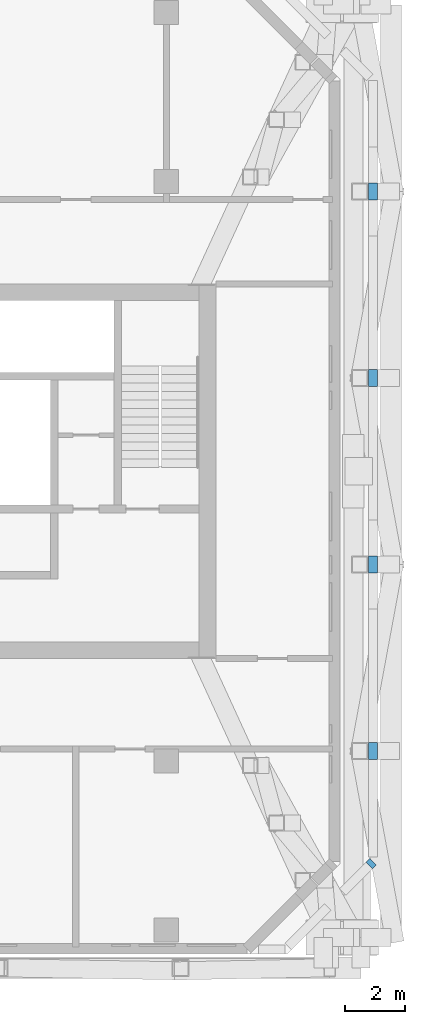
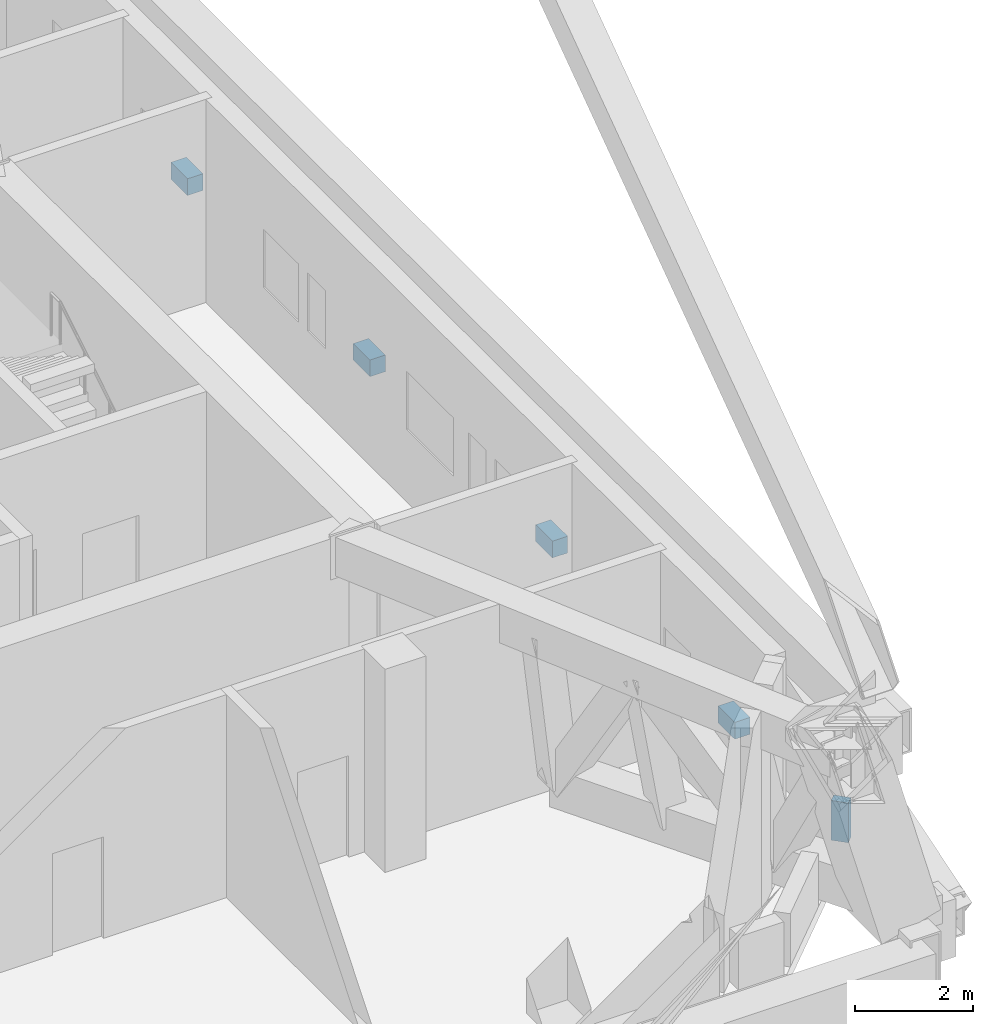
# One storey, part 18 of 22: 5 walls.
"""IFC4 building model written with IfcOpenShell, lengths in metres."""

from ifc_helpers import new_model, si_unit, direction, frame, frame_2d, origin, place, context, subcontext, project, spatial, rectangle, extrude, material, layer, layer_set, type_object, element, save


model = new_model("IFC4")

# Units and contexts
model_context = context("Model", 3, precision=1e-05, world=origin(), true_north=direction((0.0, 1.0)))
body_context = subcontext(model_context, "Body", "Model", "MODEL_VIEW")
ifc_project = project(units=[si_unit("LENGTHUNIT", "METRE"), si_unit("AREAUNIT", "SQUARE_METRE"), si_unit("VOLUMEUNIT", "CUBIC_METRE"), si_unit("PLANEANGLEUNIT", "RADIAN"), si_unit("MASSUNIT", "GRAM", prefix="KILO")], contexts=[model_context])

# Site, building, storey
site_placement = place(None, origin())
site = spatial("IfcSite", under=ifc_project, at=site_placement, CompositionType="ELEMENT")
building_placement = place(site_placement, origin())
building = spatial("IfcBuilding", under=site, at=building_placement, Name="Tuart Gate Housing", CompositionType="ELEMENT")
storey_placement = place(building_placement, frame((0.0, 0.0, 115.0)))
storey = spatial("IfcBuildingStorey", under=building, at=storey_placement, Name="L32", CompositionType="ELEMENT", Elevation=115.0)

# Walls
ifc_material = material(Name="Brick", Category="masonry")
ifc_layer = layer(ifc_material, 0.300048828125)
ifc_layer_set = layer_set([ifc_layer], Name="Brick parapet wall 300")
wall_type = type_object("IfcWallType", Name="Brick parapet wall 300", PredefinedType="PARAPET", material=ifc_layer_set)
wall_1_placement = place(storey_placement, frame((173.7294921875, 56.94189453125, 0.0), z_axis=(0.0, 0.0, 1.0), x_axis=(0.708539617255, 0.705671035809, 0.0)))
element("IfcWall", 1, at=wall_1_placement, inside=storey, type_object=wall_type, Name="Roof parapet B 2", PredefinedType="PARAPET", context=body_context, shape_type="SweptSolid", body=[
    extrude(rectangle(XDim=0.170166015625, YDim=0.300048828125, at=frame_2d((0.0849609375, 0.0))), origin(), (0.0, 0.0, 1.0), 0.822021484375),
])
wall_2_placement = place(storey_placement, frame((173.85009765625, 60.447021484375, 0.0), z_axis=(0.0, 0.0, 1.0), x_axis=(0.0, 1.0, 0.0)))
element("IfcWall", 2, at=wall_2_placement, inside=storey, type_object=wall_type, Name="Roof parapet B 3", PredefinedType="PARAPET", context=body_context, shape_type="SweptSolid", body=[
    extrude(rectangle(XDim=0.56591796875, YDim=0.300048828125, at=frame_2d((0.282958984375, 0.0))), origin(), (0.0, 0.0, 1.0), 0.34716796875),
])
for number, where, z_axis, x_axis, name in (
    (3, (173.85009765625, 66.626953125, 0.0), (0.0, 0.0, 1.0), (0.0, 1.0, 0.0), "Roof parapet B 3"),
    (4, (173.85009765625, 72.806884765625, 0.0), (0.0, 0.0, 1.0), (0.0, 1.0, 0.0), "Roof parapet B 3"),
):
    element("IfcWall", number, at=place(storey_placement, frame(where, z_axis=z_axis, x_axis=x_axis)), inside=storey, type_object=wall_type, Name=name, PredefinedType="PARAPET", context=body_context, shape_type="SweptSolid", body=[
        extrude(rectangle(XDim=0.566162109375, YDim=0.300048828125, at=frame_2d((0.283203125, 0.0))), origin(), (0.0, 0.0, 1.0), 0.34716796875),
    ])
wall_3_placement = place(storey_placement, frame((173.85009765625, 78.987060546875, 0.0), z_axis=(0.0, 0.0, 1.0), x_axis=(0.0, 1.0, 0.0)))
element("IfcWall", 5, at=wall_3_placement, inside=storey, type_object=wall_type, Name="Roof parapet B 3", PredefinedType="PARAPET", context=body_context, shape_type="SweptSolid", body=[
    extrude(rectangle(XDim=0.56591796875, YDim=0.300048828125, at=frame_2d((0.282958984375, 0.0))), origin(), (0.0, 0.0, 1.0), 0.34716796875),
])

save(model, "model.ifc")
